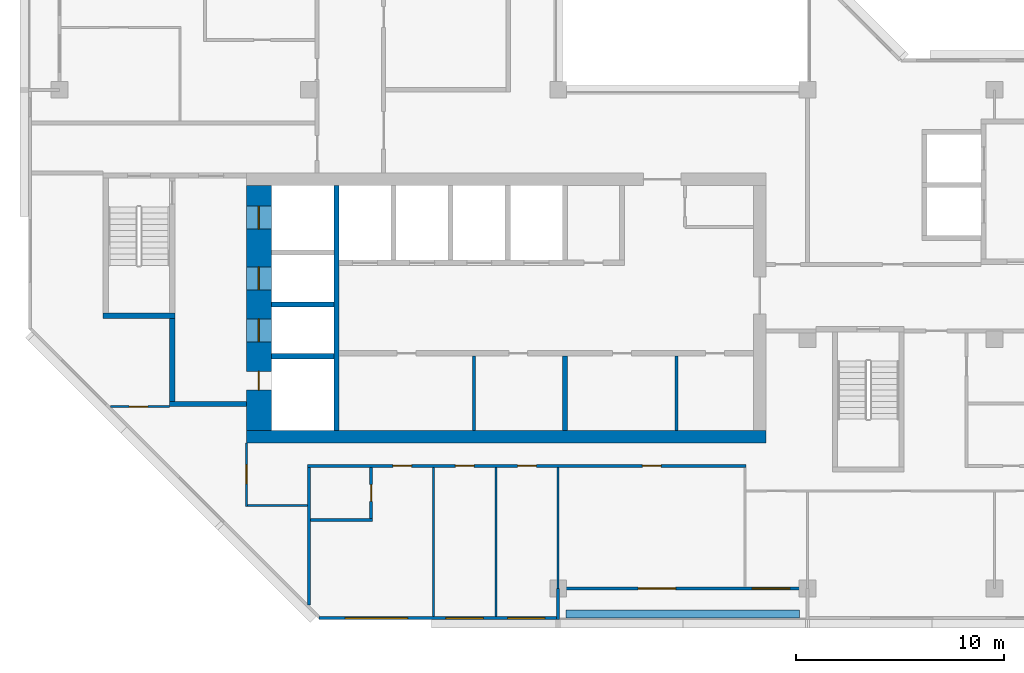
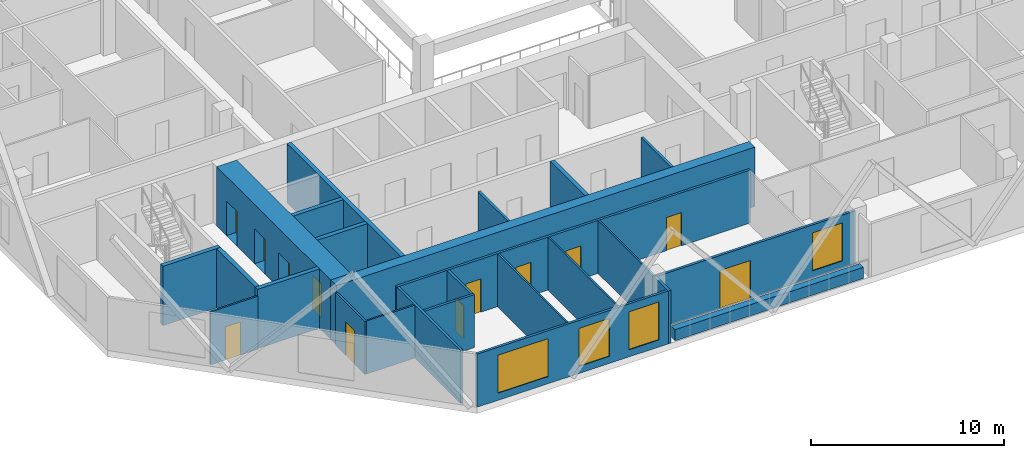
# One storey, part 4 of 13: 25 walls, 12 doors, 4 windows, 16 openings.
"""IFC4 building model written with IfcOpenShell, lengths in metres."""

from ifc_helpers import new_model, si_unit, direction, frame, frame_2d, origin, place, context, subcontext, project, spatial, rectangle, extrude, material, layer, layer_set, type_object, element, fill, save


model = new_model("IFC4")

# Units and contexts
model_context = context("Model", 3, precision=1e-05, world=origin(), true_north=direction((0.0, 1.0)))
body_context = subcontext(model_context, "Body", "Model", "MODEL_VIEW")
ifc_project = project(units=[si_unit("LENGTHUNIT", "METRE"), si_unit("AREAUNIT", "SQUARE_METRE"), si_unit("VOLUMEUNIT", "CUBIC_METRE"), si_unit("PLANEANGLEUNIT", "RADIAN"), si_unit("MASSUNIT", "GRAM", prefix="KILO")], contexts=[model_context])

# Site, building, storey
site_placement = place(None, origin())
site = spatial("IfcSite", under=ifc_project, at=site_placement, CompositionType="ELEMENT")
building_placement = place(site_placement, origin())
building = spatial("IfcBuilding", under=site, at=building_placement, Name="Chenar Terraces", CompositionType="ELEMENT")
storey_placement = place(building_placement, frame((0.0, 0.0, 303.39990234375)))
storey = spatial("IfcBuildingStorey", under=building, at=storey_placement, Name="L71", CompositionType="ELEMENT", Elevation=303.39990234375)

# Walls
ifc_material_1 = material(Name="Gypsum board on steel studs", Category="steel")
ifc_layer_1 = layer(ifc_material_1, 0.14990234375)
ifc_layer_set_1 = layer_set([ifc_layer_1], Name="Gypsum board on steel studs")
wall_type_1 = type_object("IfcWallType", Name="Core partition 150 gypsum board", PredefinedType="PARTITIONING", material=ifc_layer_set_1)
for number, where, z_axis, x_axis, name in (
    (1, (19.949951171875, 7.60009765625, 0.0), (0.0, 0.0, 1.0), (0.0, 1.0, 0.0), "Core partition CP1 freed bay wall"),
    (2, (29.699951171875, 7.60009765625, 0.0), (0.0, 0.0, 1.0), (0.0, 1.0, 0.0), "Core partition CP1 freed bay wall"),
):
    element("IfcWall", number, at=place(storey_placement, frame(where, z_axis=z_axis, x_axis=x_axis)), inside=storey, type_object=wall_type_1, Name=name, PredefinedType="PARTITIONING", context=body_context, shape_type="SweptSolid", body=[
        extrude(rectangle(XDim=3.599853515625, YDim=0.14990234375, at=frame_2d((1.7998046875, 0.0))), origin(), (0.0, 0.0, 1.0), 3.35009765625),
    ])

# Wall, openings, doors
ifc_material_2 = material(Name="Concrete C50/60", Category="concrete")
ifc_layer_2 = layer(ifc_material_2, 1.199951171875)
ifc_layer_set_2 = layer_set([ifc_layer_2], Name="Concrete C50/60")
wall_type_2 = type_object("IfcWallType", Name="Core wall 1200 Concrete C50/60", PredefinedType="SHEAR", material=ifc_layer_set_2)
wall_1_placement = place(storey_placement, frame((9.60009765625, 7.60009765625, 0.0), z_axis=(0.0, 0.0, 1.0), x_axis=(0.0, 1.0, 0.0)))
wall_1 = element("IfcWall", 3, at=wall_1_placement, inside=storey, type_object=wall_type_2, Name="Core wall W L71", PredefinedType="SHEAR", context=body_context, shape_type="SweptSolid", body=[
    extrude(rectangle(XDim=11.7998046875, YDim=1.199951171875, at=frame_2d((5.89990234375, 0.0))), origin(), (0.0, 0.0, 1.0), 3.75),
])
opening_1_placement = place(wall_1_placement, frame((4.27490234375, 0.0, 0.0)))
opening_1 = element("IfcOpeningElement", 4, at=opening_1_placement, cuts=wall_1, Name="Opening DL71-LD5", PredefinedType="OPENING", context=body_context, shape_type="SweptSolid", body=[
    extrude(rectangle(XDim=1.10009765625, YDim=2.199951171875, at=frame_2d((0.550048828125, 1.10009765625))), frame((0.0, 0.60986328125, 0.0), z_axis=(0.0, -1.0, 0.0), x_axis=(1.0, 0.0, 0.0)), (0.0, 0.0, 1.0), 1.219970703125),
])
opening_2_placement = place(wall_1_placement, frame((6.77490234375, 0.0, 0.0)))
opening_2 = element("IfcOpeningElement", 5, at=opening_2_placement, cuts=wall_1, Name="Opening DL71-LD6", PredefinedType="OPENING", context=body_context, shape_type="SweptSolid", body=[
    extrude(rectangle(XDim=1.10009765625, YDim=2.199951171875, at=frame_2d((0.550048828125, 1.10009765625))), frame((0.0, 0.60986328125, 0.0), z_axis=(0.0, -1.0, 0.0), x_axis=(1.0, 0.0, 0.0)), (0.0, 0.0, 1.0), 1.219970703125),
])
opening_3_placement = place(wall_1_placement, frame((9.699951171875, 0.0, 0.0)))
opening_3 = element("IfcOpeningElement", 6, at=opening_3_placement, cuts=wall_1, Name="Opening DL71-LD7", PredefinedType="OPENING", context=body_context, shape_type="SweptSolid", body=[
    extrude(rectangle(XDim=1.10009765625, YDim=2.199951171875, at=frame_2d((0.550048828125, 1.10009765625))), frame((0.0, 0.60986328125, 0.0), z_axis=(0.0, -1.0, 0.0), x_axis=(1.0, 0.0, 0.0)), (0.0, 0.0, 1.0), 1.219970703125),
])
opening_4_placement = place(wall_1_placement, frame((1.949951171875, 0.0, 0.0)))
opening_4 = element("IfcOpeningElement", 7, at=opening_4_placement, cuts=wall_1, Name="Opening DL71-C4", PredefinedType="OPENING", context=body_context, shape_type="SweptSolid", body=[
    extrude(rectangle(XDim=0.89990234375, YDim=2.10009765625, at=frame_2d((0.449951171875, 1.050048828125))), frame((0.0, 0.60986328125, 0.0), z_axis=(0.0, -1.0, 0.0), x_axis=(1.0, 0.0, 0.0)), (0.0, 0.0, 1.0), 1.219970703125),
])
ifc_material_3 = material(Name="Stainless steel", Category="steel")
door_type_1 = type_object("IfcDoorType", Name="Lift landing door 1100 x 2200 sliding", OperationType="DOUBLE_DOOR_SLIDING", PredefinedType="DOOR", material=ifc_material_3)
door_1_placement = place(opening_1_placement, origin())
door_1 = element("IfcDoor", 8, at=door_1_placement, inside=storey, type_object=door_type_1, Name="Landing door S1", OperationType="DOUBLE_DOOR_SLIDING", OverallHeight=2.199951171875, OverallWidth=1.10009765625, PredefinedType="DOOR", context=body_context, shape_type="SweptSolid", body=[
    extrude(rectangle(XDim=1.10009765625, YDim=2.199951171875, at=frame_2d((0.550048828125, 1.10009765625))), frame((0.0, 0.02490234375, 0.0), z_axis=(0.0, -1.0, 0.0), x_axis=(1.0, 0.0, 0.0)), (0.0, 0.0, 1.0), 0.050048828125),
])
fill(opening_1, door_1)
door_2_placement = place(opening_2_placement, origin())
door_2 = element("IfcDoor", 9, at=door_2_placement, inside=storey, type_object=door_type_1, Name="Landing door F1", OperationType="DOUBLE_DOOR_SLIDING", OverallHeight=2.199951171875, OverallWidth=1.10009765625, PredefinedType="DOOR", context=body_context, shape_type="SweptSolid", body=[
    extrude(rectangle(XDim=1.10009765625, YDim=2.199951171875, at=frame_2d((0.550048828125, 1.10009765625))), frame((0.0, 0.02490234375, 0.0), z_axis=(0.0, -1.0, 0.0), x_axis=(1.0, 0.0, 0.0)), (0.0, 0.0, 1.0), 0.050048828125),
])
fill(opening_2, door_2)
door_3_placement = place(opening_3_placement, origin())
door_3 = element("IfcDoor", 10, at=door_3_placement, inside=storey, type_object=door_type_1, Name="Landing door F2", OperationType="DOUBLE_DOOR_SLIDING", OverallHeight=2.199951171875, OverallWidth=1.10009765625, PredefinedType="DOOR", context=body_context, shape_type="SweptSolid", body=[
    extrude(rectangle(XDim=1.10009765625, YDim=2.199951171875, at=frame_2d((0.550048828125, 1.10009765625))), frame((0.0, 0.02490234375, 0.0), z_axis=(0.0, -1.0, 0.0), x_axis=(1.0, 0.0, 0.0)), (0.0, 0.0, 1.0), 0.050048828125),
])
fill(opening_3, door_3)
ifc_material_4 = material(Name="Steel-framed fire-resisting door leaf", Category="steel")
door_type_2 = type_object("IfcDoorType", Name="Riser fire door FD60 900 x 2100", OperationType="SINGLE_SWING_LEFT", PredefinedType="DOOR", material=ifc_material_4)
door_4_placement = place(opening_4_placement, frame((0.89990234375, 0.0, 0.0), z_axis=(0.0, 0.0, 1.0), x_axis=(-1.0, 0.0, 0.0)))
door_4 = element("IfcDoor", 11, at=door_4_placement, inside=storey, type_object=door_type_2, Name="Riser door DL71-C4", OperationType="SINGLE_SWING_LEFT", OverallHeight=2.10009765625, OverallWidth=0.89990234375, PredefinedType="DOOR", context=body_context, shape_type="SweptSolid", body=[
    extrude(rectangle(XDim=0.89990234375, YDim=2.10009765625, at=frame_2d((0.449951171875, 1.050048828125))), frame((0.0, 0.02490234375, 0.0), z_axis=(0.0, -1.0, 0.0), x_axis=(1.0, 0.0, 0.0)), (0.0, 0.0, 1.0), 0.050048828125),
])
fill(opening_4, door_4)

# Walls
ifc_material_5 = material(Name="Concrete C50/60", Category="concrete")
ifc_layer_3 = layer(ifc_material_5, 0.25)
ifc_layer_set_3 = layer_set([ifc_layer_3], Name="Concrete C50/60")
wall_type_3 = type_object("IfcWallType", Name="Core wall 250 Concrete C50/60", PredefinedType="SHEAR", material=ifc_layer_set_3)
wall_2_placement = place(storey_placement, frame((13.324951171875, 7.60009765625, 0.0), z_axis=(0.0, 0.0, 1.0), x_axis=(0.0, 1.0, 0.0)))
element("IfcWall", 12, at=wall_2_placement, inside=storey, type_object=wall_type_3, Name="Core wall WI L71", PredefinedType="SHEAR", context=body_context, shape_type="SweptSolid", body=[
    extrude(rectangle(XDim=11.7998046875, YDim=0.25, at=frame_2d((5.89990234375, 0.0))), origin(), (0.0, 0.0, 1.0), 3.75),
])
for number, where, z_axis, x_axis, name in (
    (13, (10.199951171875, 11.175048828125, 0.0), (0.0, 0.0, 1.0), (1.0, 0.0, 0.0), "Core wall HW0 L71"),
    (14, (10.199951171875, 13.675048828125, 0.0), (0.0, 0.0, 1.0), (1.0, 0.0, 0.0), "Core wall HW1 L71"),
):
    element("IfcWall", number, at=place(storey_placement, frame(where, z_axis=z_axis, x_axis=x_axis)), inside=storey, type_object=wall_type_3, Name=name, PredefinedType="SHEAR", context=body_context, shape_type="SweptSolid", body=[
        extrude(rectangle(XDim=3.0, YDim=0.25, at=frame_2d((1.5, 0.0))), origin(), (0.0, 0.0, 1.0), 3.75),
    ])
wall_3_placement = place(storey_placement, frame((24.324951171875, 7.60009765625, 0.0), z_axis=(0.0, 0.0, 1.0), x_axis=(0.0, 1.0, 0.0)))
element("IfcWall", 15, at=wall_3_placement, inside=storey, type_object=wall_type_3, Name="Core wall SS3 L71", PredefinedType="SHEAR", context=body_context, shape_type="SweptSolid", body=[
    extrude(rectangle(XDim=3.599853515625, YDim=0.25, at=frame_2d((1.7998046875, 0.0))), origin(), (0.0, 0.0, 1.0), 3.75),
])
wall_4_placement = place(storey_placement, frame((2.10009765625, 13.125, 0.0), z_axis=(0.0, 0.0, 1.0), x_axis=(1.0, 0.0, 0.0)))
element("IfcWall", 16, at=wall_4_placement, inside=storey, type_object=wall_type_3, Name="Core wall ST1_S L71", PredefinedType="SHEAR", context=body_context, shape_type="SweptSolid", body=[
    extrude(rectangle(XDim=3.449951171875, YDim=0.25, at=frame_2d((1.72509765625, 0.0))), origin(), (0.0, 0.0, 1.0), 3.75),
])
wall_5_placement = place(storey_placement, frame((5.300048828125, 8.875, 0.0), z_axis=(0.0, 0.0, 1.0), x_axis=(1.0, 0.0, 0.0)))
element("IfcWall", 17, at=wall_5_placement, inside=storey, type_object=wall_type_3, Name="Core wall FFL_S L71", PredefinedType="SHEAR", context=body_context, shape_type="SweptSolid", body=[
    extrude(rectangle(XDim=3.699951171875, YDim=0.25, at=frame_2d((1.85009765625, 0.0))), origin(), (0.0, 0.0, 1.0), 3.75),
])
wall_6_placement = place(storey_placement, frame((5.425048828125, 9.0, 0.0), z_axis=(0.0, 0.0, 1.0), x_axis=(0.0, 1.0, 0.0)))
element("IfcWall", 18, at=wall_6_placement, inside=storey, type_object=wall_type_3, Name="Core wall FFL_W L71", PredefinedType="SHEAR", context=body_context, shape_type="SweptSolid", body=[
    extrude(rectangle(XDim=4.0, YDim=0.25, at=frame_2d((2.0, 0.0))), origin(), (0.0, 0.0, 1.0), 3.75),
])
ifc_material_6 = material(Name="Concrete C50/60", Category="concrete")
ifc_layer_4 = layer(ifc_material_6, 0.60009765625)
ifc_layer_set_4 = layer_set([ifc_layer_4], Name="Concrete C50/60")
wall_type_4 = type_object("IfcWallType", Name="Core wall 600 Concrete C50/60", PredefinedType="SHEAR", material=ifc_layer_set_4)
wall_7_placement = place(storey_placement, frame((9.0, 7.300048828125, 0.0), z_axis=(0.0, 0.0, 1.0), x_axis=(1.0, 0.0, 0.0)))
element("IfcWall", 19, at=wall_7_placement, inside=storey, type_object=wall_type_4, Name="Core wall S L71", PredefinedType="SHEAR", context=body_context, shape_type="SweptSolid", body=[
    extrude(rectangle(XDim=25.0, YDim=0.60009765625, at=frame_2d((12.5, 0.0))), origin(), (0.0, 0.0, 1.0), 3.75),
])

# Wall, openings, windows
ifc_material_7 = material(Name="Aluminium framed glazing", Category="aluminium")
ifc_layer_5 = layer(ifc_material_7, 0.14990234375)
ifc_layer_set_5 = layer_set([ifc_layer_5], Name="Aluminium framed glazing")
wall_type_5 = type_object("IfcWallType", Name="Glazed flush facade wall 150", PredefinedType="SOLIDWALL", material=ifc_layer_set_5)
wall_8_placement = place(storey_placement, frame((12.5, -1.425048828125, 0.0), z_axis=(0.0, 0.0, 1.0), x_axis=(1.0, 0.0, 0.0)))
wall_8 = element("IfcWall", 20, at=wall_8_placement, inside=storey, type_object=wall_type_5, Name="Glazed flush facade wall", PredefinedType="SOLIDWALL", context=body_context, shape_type="SweptSolid", body=[
    extrude(rectangle(XDim=11.425048828125, YDim=0.14990234375, at=frame_2d((5.71240234375, 0.0))), origin(), (0.0, 0.0, 1.0), 3.35009765625),
])
opening_5_placement = place(wall_8_placement, frame((1.25, 0.0, 0.449951171875)))
opening_5 = element("IfcOpeningElement", 21, at=opening_5_placement, cuts=wall_8, Name="Opening W300x240", PredefinedType="OPENING", context=body_context, shape_type="SweptSolid", body=[
    extrude(rectangle(XDim=3.0, YDim=2.39990234375, at=frame_2d((1.5, 1.199951171875))), frame((0.0, 0.0849609375, 0.0), z_axis=(0.0, -1.0, 0.0), x_axis=(1.0, 0.0, 0.0)), (0.0, 0.0, 1.0), 0.169921875),
])
opening_6_placement = place(wall_8_placement, frame((6.10009765625, 0.0, 0.449951171875)))
opening_6 = element("IfcOpeningElement", 22, at=opening_6_placement, cuts=wall_8, Name="Opening W180x240", PredefinedType="OPENING", context=body_context, shape_type="SweptSolid", body=[
    extrude(rectangle(XDim=1.800048828125, YDim=2.39990234375, at=frame_2d((0.89990234375, 1.199951171875))), frame((0.0, 0.0849609375, 0.0), z_axis=(0.0, -1.0, 0.0), x_axis=(1.0, 0.0, 0.0)), (0.0, 0.0, 1.0), 0.169921875),
])
opening_7_placement = place(wall_8_placement, frame((9.0625, 0.0, 0.449951171875)))
opening_7 = element("IfcOpeningElement", 23, at=opening_7_placement, cuts=wall_8, Name="Opening W180x240", PredefinedType="OPENING", context=body_context, shape_type="SweptSolid", body=[
    extrude(rectangle(XDim=1.800048828125, YDim=2.39990234375, at=frame_2d((0.89990234375, 1.199951171875))), frame((0.0, 0.0849609375, 0.0), z_axis=(0.0, -1.0, 0.0), x_axis=(1.0, 0.0, 0.0)), (0.0, 0.0, 1.0), 0.169921875),
])
ifc_material_8 = material(Name="Low emissivity double glazing, aluminium frame", Category="aluminium")
window_type_1 = type_object("IfcWindowType", Name="Fixed light 1800 x 2400", PartitioningType="SINGLE_PANEL", PredefinedType="WINDOW", material=ifc_material_8)
window_1_placement = place(opening_6_placement, origin())
window_1 = element("IfcWindow", 24, at=window_1_placement, inside=storey, type_object=window_type_1, Name="Window", OverallHeight=2.39990234375, OverallWidth=1.800048828125, PartitioningType="SINGLE_PANEL", PredefinedType="WINDOW", context=body_context, shape_type="SweptSolid", body=[
    extrude(rectangle(XDim=1.800048828125, YDim=2.39990234375, at=frame_2d((0.89990234375, 1.199951171875))), frame((0.0, 0.030029296875, 0.0), z_axis=(0.0, -1.0, 0.0), x_axis=(1.0, 0.0, 0.0)), (0.0, 0.0, 1.0), 0.06005859375),
])
fill(opening_6, window_1)
window_2_placement = place(opening_7_placement, origin())
window_2 = element("IfcWindow", 25, at=window_2_placement, inside=storey, type_object=window_type_1, Name="Window", OverallHeight=2.39990234375, OverallWidth=1.800048828125, PartitioningType="SINGLE_PANEL", PredefinedType="WINDOW", context=body_context, shape_type="SweptSolid", body=[
    extrude(rectangle(XDim=1.800048828125, YDim=2.39990234375, at=frame_2d((0.89990234375, 1.199951171875))), frame((0.0, 0.030029296875, 0.0), z_axis=(0.0, -1.0, 0.0), x_axis=(1.0, 0.0, 0.0)), (0.0, 0.0, 1.0), 0.06005859375),
])
fill(opening_7, window_2)
ifc_material_9 = material(Name="Low emissivity double glazing, aluminium frame", Category="aluminium")
window_type_2 = type_object("IfcWindowType", Name="Fixed light 3000 x 2400", PartitioningType="SINGLE_PANEL", PredefinedType="WINDOW", material=ifc_material_9)
window_3_placement = place(opening_5_placement, origin())
window_3 = element("IfcWindow", 26, at=window_3_placement, inside=storey, type_object=window_type_2, Name="Window", OverallHeight=2.39990234375, OverallWidth=3.0, PartitioningType="SINGLE_PANEL", PredefinedType="WINDOW", context=body_context, shape_type="SweptSolid", body=[
    extrude(rectangle(XDim=3.0, YDim=2.39990234375, at=frame_2d((1.5, 1.199951171875))), frame((0.0, 0.030029296875, 0.0), z_axis=(0.0, -1.0, 0.0), x_axis=(1.0, 0.0, 0.0)), (0.0, 0.0, 1.0), 0.06005859375),
])
fill(opening_5, window_3)

# Wall, openings, window, door
ifc_material_10 = material(Name="Aluminium framed glazing", Category="aluminium")
ifc_layer_6 = layer(ifc_material_10, 0.14990234375)
ifc_layer_set_6 = layer_set([ifc_layer_6], Name="Aluminium framed glazing")
wall_type_6 = type_object("IfcWallType", Name="Glazed loggia back wall 150", PredefinedType="SOLIDWALL", material=ifc_layer_set_6)
wall_9_placement = place(storey_placement, frame((24.074951171875, 0.0, 0.0), z_axis=(0.0, 0.0, 1.0), x_axis=(1.0, 0.0, 0.0)))
wall_9 = element("IfcWall", 27, at=wall_9_placement, inside=storey, type_object=wall_type_6, Name="Glazed loggia back wall", PredefinedType="SOLIDWALL", context=body_context, shape_type="SweptSolid", body=[
    extrude(rectangle(XDim=11.85009765625, YDim=0.14990234375, at=frame_2d((5.925048828125, 0.0))), origin(), (0.0, 0.0, 1.0), 3.35009765625),
])
opening_8_placement = place(wall_9_placement, frame((3.77490234375, 0.0, 0.0)))
opening_8 = element("IfcOpeningElement", 28, at=opening_8_placement, cuts=wall_9, Name="Opening DL71-G5", PredefinedType="OPENING", context=body_context, shape_type="SweptSolid", body=[
    extrude(rectangle(XDim=1.800048828125, YDim=2.39990234375, at=frame_2d((0.89990234375, 1.199951171875))), frame((0.0, 0.0849609375, 0.0), z_axis=(0.0, -1.0, 0.0), x_axis=(1.0, 0.0, 0.0)), (0.0, 0.0, 1.0), 0.169921875),
])
opening_9_placement = place(wall_9_placement, frame((9.27490234375, 0.0, 0.449951171875)))
opening_9 = element("IfcOpeningElement", 29, at=opening_9_placement, cuts=wall_9, Name="Opening W180x240", PredefinedType="OPENING", context=body_context, shape_type="SweptSolid", body=[
    extrude(rectangle(XDim=1.800048828125, YDim=2.39990234375, at=frame_2d((0.89990234375, 1.199951171875))), frame((0.0, 0.0849609375, 0.0), z_axis=(0.0, -1.0, 0.0), x_axis=(1.0, 0.0, 0.0)), (0.0, 0.0, 1.0), 0.169921875),
])
window_4_placement = place(opening_9_placement, origin())
window_4 = element("IfcWindow", 30, at=window_4_placement, inside=storey, type_object=window_type_1, Name="Window", OverallHeight=2.39990234375, OverallWidth=1.800048828125, PartitioningType="SINGLE_PANEL", PredefinedType="WINDOW", context=body_context, shape_type="SweptSolid", body=[
    extrude(rectangle(XDim=1.800048828125, YDim=2.39990234375, at=frame_2d((0.89990234375, 1.199951171875))), frame((0.0, 0.030029296875, 0.0), z_axis=(0.0, -1.0, 0.0), x_axis=(1.0, 0.0, 0.0)), (0.0, 0.0, 1.0), 0.06005859375),
])
fill(opening_9, window_4)
ifc_material_11 = material(Name="Low emissivity double glazing, aluminium frame", Category="aluminium")
door_type_3 = type_object("IfcDoorType", Name="Loggia glazed double door 1800 x 2400", OperationType="DOUBLE_DOOR_SINGLE_SWING", PredefinedType="DOOR", material=ifc_material_11)
door_5_placement = place(opening_8_placement, frame((1.800048828125, 0.0, 0.0), z_axis=(0.0, 0.0, 1.0), x_axis=(-1.0, 0.0, 0.0)))
door_5 = element("IfcDoor", 31, at=door_5_placement, inside=storey, type_object=door_type_3, Name="Loggia glazed door", OperationType="DOUBLE_DOOR_SINGLE_SWING", OverallHeight=2.39990234375, OverallWidth=1.800048828125, PredefinedType="DOOR", context=body_context, shape_type="SweptSolid", body=[
    extrude(rectangle(XDim=1.800048828125, YDim=2.39990234375, at=frame_2d((0.89990234375, 1.199951171875))), frame((0.0, 0.02490234375, 0.0), z_axis=(0.0, -1.0, 0.0), x_axis=(1.0, 0.0, 0.0)), (0.0, 0.0, 1.0), 0.050048828125),
])
fill(opening_8, door_5)

# Wall, opening, door
ifc_material_12 = material(Name="Gypsum board on steel studs", Category="steel")
ifc_layer_7 = layer(ifc_material_12, 0.10009765625)
ifc_layer_set_7 = layer_set([ifc_layer_7], Name="Gypsum board on steel studs")
wall_type_7 = type_object("IfcWallType", Name="Gypsum partition 100", PredefinedType="PARTITIONING", material=ifc_layer_set_7)
wall_10_placement = place(storey_placement, frame((2.4609375, 8.75, 0.0), z_axis=(0.0, 0.0, 1.0), x_axis=(1.0, 0.0, 0.0)))
wall_10 = element("IfcWall", 32, at=wall_10_placement, inside=storey, type_object=wall_type_7, Name="Partition L71-009", PredefinedType="PARTITIONING", context=body_context, shape_type="SweptSolid", body=[
    extrude(rectangle(XDim=2.839111328125, YDim=0.10009765625, at=frame_2d((1.41943359375, 0.0))), origin(), (0.0, 0.0, 1.0), 3.35009765625),
])
opening_10_placement = place(wall_10_placement, frame((0.888916015625, 0.0, 0.0)))
opening_10 = element("IfcOpeningElement", 33, at=opening_10_placement, cuts=wall_10, Name="Opening DL71-40", PredefinedType="OPENING", context=body_context, shape_type="SweptSolid", body=[
    extrude(rectangle(XDim=0.89990234375, YDim=2.10009765625, at=frame_2d((0.449951171875, 1.050048828125))), frame((0.0, 0.06005859375, 0.0), z_axis=(0.0, -1.0, 0.0), x_axis=(1.0, 0.0, 0.0)), (0.0, 0.0, 1.0), 0.1201171875),
])
ifc_material_13 = material(Name="Veneered timber door leaf", Category="wood")
door_type_4 = type_object("IfcDoorType", Name="Door 900 x 2100", OperationType="SINGLE_SWING_LEFT", PredefinedType="DOOR", material=ifc_material_13)
door_6_placement = place(opening_10_placement, frame((0.89990234375, 0.0, 0.0), z_axis=(0.0, 0.0, 1.0), x_axis=(-1.0, 0.0, 0.0)))
door_6 = element("IfcDoor", 34, at=door_6_placement, inside=storey, type_object=door_type_4, Name="Door DL71-40", OperationType="SINGLE_SWING_RIGHT", OverallHeight=2.10009765625, OverallWidth=0.89990234375, PredefinedType="DOOR", context=body_context, shape_type="SweptSolid", body=[
    extrude(rectangle(XDim=0.89990234375, YDim=2.10009765625, at=frame_2d((0.449951171875, 1.050048828125))), frame((0.0, 0.02490234375, 0.0), z_axis=(0.0, -1.0, 0.0), x_axis=(1.0, 0.0, 0.0)), (0.0, 0.0, 1.0), 0.050048828125),
])
fill(opening_10, door_6)

wall_11_placement = place(storey_placement, frame((9.0, 3.949951171875, 0.0), z_axis=(0.0, 0.0, 1.0), x_axis=(0.0, 1.0, 0.0)))
wall_11 = element("IfcWall", 35, at=wall_11_placement, inside=storey, type_object=wall_type_7, Name="Partition L71-026", PredefinedType="PARTITIONING", context=body_context, shape_type="SweptSolid", body=[
    extrude(rectangle(XDim=3.050048828125, YDim=0.10009765625, at=frame_2d((1.52490234375, 0.0))), origin(), (0.0, 0.0, 1.0), 3.35009765625),
])
opening_11_placement = place(wall_11_placement, frame((1.10009765625, 0.0, 0.0)))
opening_11 = element("IfcOpeningElement", 36, at=opening_11_placement, cuts=wall_11, Name="Opening DL71-39", PredefinedType="OPENING", context=body_context, shape_type="SweptSolid", body=[
    extrude(rectangle(XDim=0.89990234375, YDim=2.10009765625, at=frame_2d((0.449951171875, 1.050048828125))), frame((0.0, 0.06005859375, 0.0), z_axis=(0.0, -1.0, 0.0), x_axis=(1.0, 0.0, 0.0)), (0.0, 0.0, 1.0), 0.1201171875),
])
door_7_placement = place(opening_11_placement, origin())
door_7 = element("IfcDoor", 37, at=door_7_placement, inside=storey, type_object=door_type_4, Name="Door DL71-39", OperationType="SINGLE_SWING_LEFT", OverallHeight=2.10009765625, OverallWidth=0.89990234375, PredefinedType="DOOR", context=body_context, shape_type="SweptSolid", body=[
    extrude(rectangle(XDim=0.89990234375, YDim=2.10009765625, at=frame_2d((0.449951171875, 1.050048828125))), frame((0.0, 0.02490234375, 0.0), z_axis=(0.0, -1.0, 0.0), x_axis=(1.0, 0.0, 0.0)), (0.0, 0.0, 1.0), 0.050048828125),
])
fill(opening_11, door_7)

# Walls
wall_12_placement = place(storey_placement, frame((9.050048828125, 4.0, 0.0), z_axis=(0.0, 0.0, 1.0), x_axis=(1.0, 0.0, 0.0)))
element("IfcWall", 38, at=wall_12_placement, inside=storey, type_object=wall_type_7, Name="Partition L71-027", PredefinedType="PARTITIONING", context=body_context, shape_type="SweptSolid", body=[
    extrude(rectangle(XDim=2.875, YDim=0.10009765625, at=frame_2d((1.4375, 0.0))), origin(), (0.0, 0.0, 1.0), 3.35009765625),
])
for number, where, z_axis, x_axis, name in (
    (39, (18.0, -1.35107421875, 0.0), (0.0, 0.0, 1.0), (0.0, 1.0, 0.0), "Partition L71-041"),
    (40, (21.0, -1.35107421875, 0.0), (0.0, 0.0, 1.0), (0.0, 1.0, 0.0), "Partition L71-046"),
):
    element("IfcWall", number, at=place(storey_placement, frame(where, z_axis=z_axis, x_axis=x_axis)), inside=storey, type_object=wall_type_7, Name=name, PredefinedType="PARTITIONING", context=body_context, shape_type="SweptSolid", body=[
        extrude(rectangle(XDim=7.176025390625, YDim=0.10009765625, at=frame_2d((3.587890625, 0.0))), origin(), (0.0, 0.0, 1.0), 3.35009765625),
    ])
wall_13_placement = place(storey_placement, frame((24.0, 0.0, 0.0), z_axis=(0.0, 0.0, 1.0), x_axis=(0.0, 1.0, 0.0)))
element("IfcWall", 41, at=wall_13_placement, inside=storey, type_object=wall_type_7, Name="Partition L71-048", PredefinedType="PARTITIONING", context=body_context, shape_type="SweptSolid", body=[
    extrude(rectangle(XDim=5.824951171875, YDim=0.10009765625, at=frame_2d((2.91259765625, 0.0))), origin(), (0.0, 0.0, 1.0), 3.35009765625),
])
ifc_material_14 = material(Name="Terracotta cladding on insulated backing", Category="masonry")
ifc_layer_8 = layer(ifc_material_14, 0.14990234375)
ifc_layer_set_8 = layer_set([ifc_layer_8], Name="Terracotta cladding on insulated backing")
wall_type_8 = type_object("IfcWallType", Name="Loggia return wall 150", PredefinedType="SOLIDWALL", material=ifc_layer_set_8)
wall_14_placement = place(storey_placement, frame((24.0, -1.5, 0.0), z_axis=(0.0, 0.0, 1.0), x_axis=(0.0, 1.0, 0.0)))
element("IfcWall", 42, at=wall_14_placement, inside=storey, type_object=wall_type_8, Name="Loggia return wall", PredefinedType="SOLIDWALL", context=body_context, shape_type="SweptSolid", body=[
    extrude(rectangle(XDim=1.5, YDim=0.14990234375, at=frame_2d((0.75, 0.0))), origin(), (0.0, 0.0, 1.0), 3.35009765625),
])
ifc_material_15 = material(Name="GRP planter trough")
ifc_layer_9 = layer(ifc_material_15, 0.39990234375)
ifc_layer_set_9 = layer_set([ifc_layer_9], Name="GRP planter trough")
wall_type_9 = type_object("IfcWallType", Name="Vertical greenery planter 400", PredefinedType="SOLIDWALL", material=ifc_layer_set_9)
wall_15_placement = place(storey_placement, frame((24.375, -1.22900390625, 0.0), z_axis=(0.0, 0.0, 1.0), x_axis=(1.0, 0.0, 0.0)))
element("IfcWall", 43, at=wall_15_placement, inside=storey, type_object=wall_type_9, Name="Vertical greenery planter", PredefinedType="SOLIDWALL", context=body_context, shape_type="SweptSolid", body=[
    extrude(rectangle(XDim=11.25, YDim=0.39990234375, at=frame_2d((5.625, 0.0))), origin(), (0.0, 0.0, 1.0), 0.7001953125),
])

# Wall, openings, doors
ifc_material_16 = material(Name="Moisture-resistant gypsum board on steel studs", Category="steel")
ifc_layer_10 = layer(ifc_material_16, 0.14990234375)
ifc_layer_set_10 = layer_set([ifc_layer_10], Name="Moisture-resistant gypsum board on steel studs")
wall_type_10 = type_object("IfcWallType", Name="Wet-room partition 150", PredefinedType="PARTITIONING", material=ifc_layer_set_10)
wall_16_placement = place(storey_placement, frame((11.925048828125, 5.89990234375, 0.0), z_axis=(0.0, 0.0, 1.0), x_axis=(1.0, 0.0, 0.0)))
wall_16 = element("IfcWall", 44, at=wall_16_placement, inside=storey, type_object=wall_type_10, Name="Partition L71-028", PredefinedType="PARTITIONING", context=body_context, shape_type="SweptSolid", body=[
    extrude(rectangle(XDim=21.125, YDim=0.14990234375, at=frame_2d((10.5625, 0.0))), origin(), (0.0, 0.0, 1.0), 3.35009765625),
])
opening_12_placement = place(wall_16_placement, frame((7.125, 0.0, 0.0)))
opening_12 = element("IfcOpeningElement", 45, at=opening_12_placement, cuts=wall_16, Name="Opening DL71-35", PredefinedType="OPENING", context=body_context, shape_type="SweptSolid", body=[
    extrude(rectangle(XDim=0.89990234375, YDim=2.10009765625, at=frame_2d((0.449951171875, 1.050048828125))), frame((0.0, 0.0849609375, 0.0), z_axis=(0.0, -1.0, 0.0), x_axis=(1.0, 0.0, 0.0)), (0.0, 0.0, 1.0), 0.169921875),
])
opening_13_placement = place(wall_16_placement, frame((10.125, 0.0, 0.0)))
opening_13 = element("IfcOpeningElement", 46, at=opening_13_placement, cuts=wall_16, Name="Opening DL71-36", PredefinedType="OPENING", context=body_context, shape_type="SweptSolid", body=[
    extrude(rectangle(XDim=0.89990234375, YDim=2.10009765625, at=frame_2d((0.449951171875, 1.050048828125))), frame((0.0, 0.0849609375, 0.0), z_axis=(0.0, -1.0, 0.0), x_axis=(1.0, 0.0, 0.0)), (0.0, 0.0, 1.0), 0.169921875),
])
opening_14_placement = place(wall_16_placement, frame((4.125, 0.0, 0.0)))
opening_14 = element("IfcOpeningElement", 47, at=opening_14_placement, cuts=wall_16, Name="Opening DL71-41", PredefinedType="OPENING", context=body_context, shape_type="SweptSolid", body=[
    extrude(rectangle(XDim=0.89990234375, YDim=2.10009765625, at=frame_2d((0.449951171875, 1.050048828125))), frame((0.0, 0.0849609375, 0.0), z_axis=(0.0, -1.0, 0.0), x_axis=(1.0, 0.0, 0.0)), (0.0, 0.0, 1.0), 0.169921875),
])
opening_15_placement = place(wall_16_placement, frame((16.125, 0.0, 0.0)))
opening_15 = element("IfcOpeningElement", 48, at=opening_15_placement, cuts=wall_16, Name="Opening DL71-45", PredefinedType="OPENING", context=body_context, shape_type="SweptSolid", body=[
    extrude(rectangle(XDim=0.89990234375, YDim=2.10009765625, at=frame_2d((0.449951171875, 1.050048828125))), frame((0.0, 0.0849609375, 0.0), z_axis=(0.0, -1.0, 0.0), x_axis=(1.0, 0.0, 0.0)), (0.0, 0.0, 1.0), 0.169921875),
])
door_8_placement = place(opening_12_placement, frame((0.89990234375, 0.0, 0.0), z_axis=(0.0, 0.0, 1.0), x_axis=(-1.0, 0.0, 0.0)))
door_8 = element("IfcDoor", 49, at=door_8_placement, inside=storey, type_object=door_type_4, Name="Door DL71-35", OperationType="SINGLE_SWING_RIGHT", OverallHeight=2.10009765625, OverallWidth=0.89990234375, PredefinedType="DOOR", context=body_context, shape_type="SweptSolid", body=[
    extrude(rectangle(XDim=0.89990234375, YDim=2.10009765625, at=frame_2d((0.449951171875, 1.050048828125))), frame((0.0, 0.02490234375, 0.0), z_axis=(0.0, -1.0, 0.0), x_axis=(1.0, 0.0, 0.0)), (0.0, 0.0, 1.0), 0.050048828125),
])
fill(opening_12, door_8)
door_9_placement = place(opening_13_placement, frame((0.89990234375, 0.0, 0.0), z_axis=(0.0, 0.0, 1.0), x_axis=(-1.0, 0.0, 0.0)))
door_9 = element("IfcDoor", 50, at=door_9_placement, inside=storey, type_object=door_type_4, Name="Door DL71-36", OperationType="SINGLE_SWING_RIGHT", OverallHeight=2.10009765625, OverallWidth=0.89990234375, PredefinedType="DOOR", context=body_context, shape_type="SweptSolid", body=[
    extrude(rectangle(XDim=0.89990234375, YDim=2.10009765625, at=frame_2d((0.449951171875, 1.050048828125))), frame((0.0, 0.02490234375, 0.0), z_axis=(0.0, -1.0, 0.0), x_axis=(1.0, 0.0, 0.0)), (0.0, 0.0, 1.0), 0.050048828125),
])
fill(opening_13, door_9)
door_10_placement = place(opening_14_placement, frame((0.89990234375, 0.0, 0.0), z_axis=(0.0, 0.0, 1.0), x_axis=(-1.0, 0.0, 0.0)))
door_10 = element("IfcDoor", 51, at=door_10_placement, inside=storey, type_object=door_type_4, Name="Door DL71-41", OperationType="SINGLE_SWING_RIGHT", OverallHeight=2.10009765625, OverallWidth=0.89990234375, PredefinedType="DOOR", context=body_context, shape_type="SweptSolid", body=[
    extrude(rectangle(XDim=0.89990234375, YDim=2.10009765625, at=frame_2d((0.449951171875, 1.050048828125))), frame((0.0, 0.02490234375, 0.0), z_axis=(0.0, -1.0, 0.0), x_axis=(1.0, 0.0, 0.0)), (0.0, 0.0, 1.0), 0.050048828125),
])
fill(opening_14, door_10)
door_11_placement = place(opening_15_placement, frame((0.89990234375, 0.0, 0.0), z_axis=(0.0, 0.0, 1.0), x_axis=(-1.0, 0.0, 0.0)))
door_11 = element("IfcDoor", 52, at=door_11_placement, inside=storey, type_object=door_type_4, Name="Door DL71-45", OperationType="SINGLE_SWING_RIGHT", OverallHeight=2.10009765625, OverallWidth=0.89990234375, PredefinedType="DOOR", context=body_context, shape_type="SweptSolid", body=[
    extrude(rectangle(XDim=0.89990234375, YDim=2.10009765625, at=frame_2d((0.449951171875, 1.050048828125))), frame((0.0, 0.02490234375, 0.0), z_axis=(0.0, -1.0, 0.0), x_axis=(1.0, 0.0, 0.0)), (0.0, 0.0, 1.0), 0.050048828125),
])
fill(opening_15, door_11)

# Walls
wall_17_placement = place(storey_placement, frame((12.0, -0.787841796875, 0.0), z_axis=(0.0, 0.0, 1.0), x_axis=(0.0, 1.0, 0.0)))
element("IfcWall", 53, at=wall_17_placement, inside=storey, type_object=wall_type_10, Name="Partition L71-029", PredefinedType="PARTITIONING", context=body_context, shape_type="SweptSolid", body=[
    extrude(rectangle(XDim=6.61279296875, YDim=0.14990234375, at=frame_2d((3.306396484375, 0.0))), origin(), (0.0, 0.0, 1.0), 3.35009765625),
])
wall_18_placement = place(storey_placement, frame((12.074951171875, 3.300048828125, 0.0), z_axis=(0.0, 0.0, 1.0), x_axis=(1.0, 0.0, 0.0)))
element("IfcWall", 54, at=wall_18_placement, inside=storey, type_object=wall_type_10, Name="Partition L71-030", PredefinedType="PARTITIONING", context=body_context, shape_type="SweptSolid", body=[
    extrude(rectangle(XDim=3.0, YDim=0.14990234375, at=frame_2d((1.5, 0.0))), origin(), (0.0, 0.0, 1.0), 3.35009765625),
])

# Wall, opening, door
wall_19_placement = place(storey_placement, frame((15.0, 3.375, 0.0), z_axis=(0.0, 0.0, 1.0), x_axis=(0.0, 1.0, 0.0)))
wall_19 = element("IfcWall", 55, at=wall_19_placement, inside=storey, type_object=wall_type_10, Name="Partition L71-032", PredefinedType="PARTITIONING", context=body_context, shape_type="SweptSolid", body=[
    extrude(rectangle(XDim=2.449951171875, YDim=0.14990234375, at=frame_2d((1.22509765625, 0.0))), origin(), (0.0, 0.0, 1.0), 3.35009765625),
])
opening_16_placement = place(wall_19_placement, frame((0.824951171875, 0.0, 0.0)))
opening_16 = element("IfcOpeningElement", 56, at=opening_16_placement, cuts=wall_19, Name="Opening DL71-42", PredefinedType="OPENING", context=body_context, shape_type="SweptSolid", body=[
    extrude(rectangle(XDim=0.800048828125, YDim=2.10009765625, at=frame_2d((0.39990234375, 1.050048828125))), frame((0.0, 0.0849609375, 0.0), z_axis=(0.0, -1.0, 0.0), x_axis=(1.0, 0.0, 0.0)), (0.0, 0.0, 1.0), 0.169921875),
])
ifc_material_17 = material(Name="Veneered timber door leaf", Category="wood")
door_type_5 = type_object("IfcDoorType", Name="Door 800 x 2100", OperationType="SINGLE_SWING_LEFT", PredefinedType="DOOR", material=ifc_material_17)
door_12_placement = place(opening_16_placement, origin())
door_12 = element("IfcDoor", 57, at=door_12_placement, inside=storey, type_object=door_type_5, Name="Door DL71-42", OperationType="SINGLE_SWING_RIGHT", OverallHeight=2.10009765625, OverallWidth=0.800048828125, PredefinedType="DOOR", context=body_context, shape_type="SweptSolid", body=[
    extrude(rectangle(XDim=0.800048828125, YDim=2.10009765625, at=frame_2d((0.39990234375, 1.050048828125))), frame((0.0, 0.02490234375, 0.0), z_axis=(0.0, -1.0, 0.0), x_axis=(1.0, 0.0, 0.0)), (0.0, 0.0, 1.0), 0.050048828125),
])
fill(opening_16, door_12)

save(model, "model.ifc")
